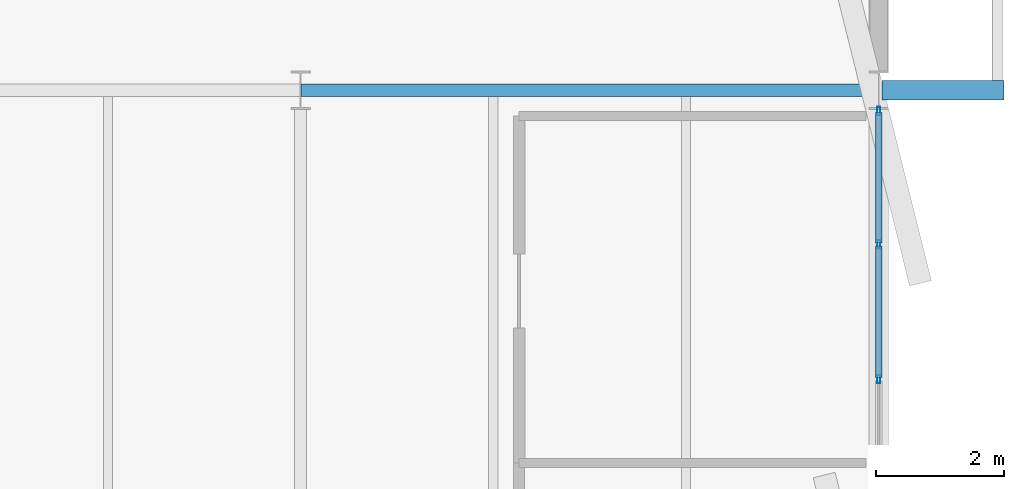
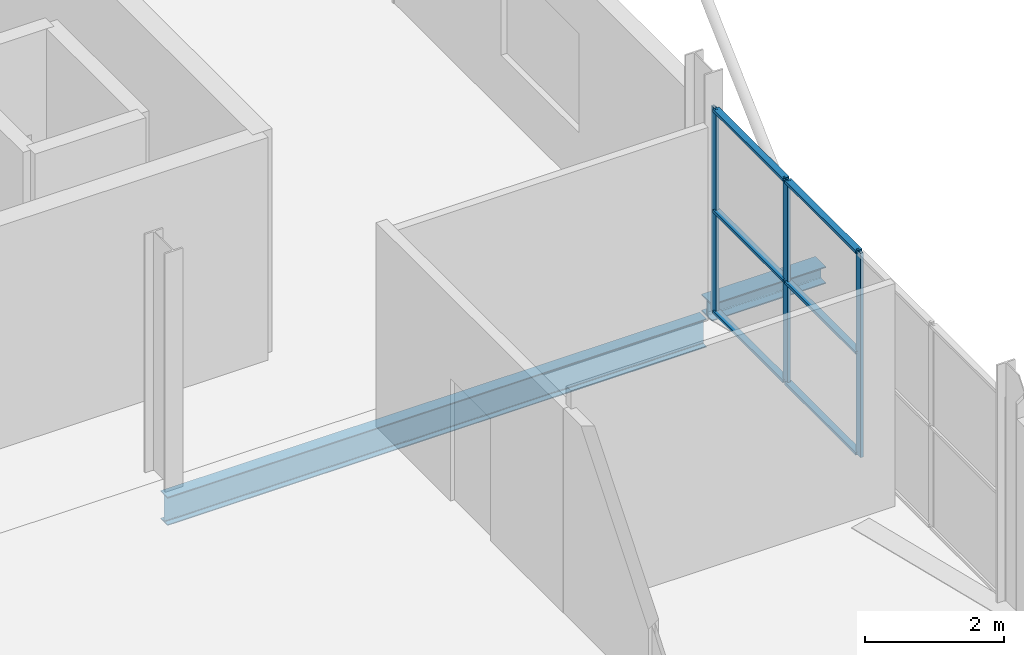
# One storey, part 59 of 103: 9 members, 2 beams, 1 element without a shape of its own.
"""IFC4 building model written with IfcOpenShell, lengths in metres."""

from ifc_helpers import new_model, si_unit, direction, frame, origin, origin_2d, place, context, subcontext, project, spatial, hollow_rectangle, i_section, extrude, material, layer, layer_set, material_profile, profile_set, type_object, element, aggregate, save


model = new_model("IFC4")

# Units and contexts
model_context = context("Model", 3, precision=1e-05, world=origin(), true_north=direction((0.0, 1.0)))
body_context = subcontext(model_context, "Body", "Model", "MODEL_VIEW")
ifc_project = project(units=[si_unit("LENGTHUNIT", "METRE"), si_unit("AREAUNIT", "SQUARE_METRE"), si_unit("VOLUMEUNIT", "CUBIC_METRE"), si_unit("PLANEANGLEUNIT", "RADIAN"), si_unit("MASSUNIT", "GRAM", prefix="KILO")], contexts=[model_context])

# Site, building, storey
site_placement = place(None, origin())
site = spatial("IfcSite", under=ifc_project, at=site_placement, CompositionType="ELEMENT")
building_placement = place(site_placement, origin())
building = spatial("IfcBuilding", under=site, at=building_placement, Name="Deido Ridge Mobility Hub", CompositionType="ELEMENT")
storey_placement = place(building_placement, frame((0.0, 0.0, 12.60009765625)))
storey = spatial("IfcBuildingStorey", under=building, at=storey_placement, Name="L03", CompositionType="ELEMENT", Elevation=12.60009765625)

# Beam
ifc_material_1 = material(Name="Steel S355J2 EN 10025-2", Category="steel")
ifc_material_profile_1 = material_profile(ifc_material_1, i_section(OverallWidth=0.199951171875, OverallDepth=0.5, WebThickness=0.01025390625, FlangeThickness=0.01611328125, FilletRadius=0.02099609375, at=origin_2d()), Name="IPE 500")
ifc_profile_set_1 = profile_set([ifc_material_profile_1], Name="Steel S355J2 EN 10025-2")
beam_type_1 = type_object("IfcBeamType", Name="BM-IPE500", PredefinedType="BEAM", material=ifc_profile_set_1)
beam_1_placement = place(storey_placement, frame((171.0078125, 36.0, -0.51513671875), z_axis=(1.0, 0.0, 0.0), x_axis=(0.0, 1.0, 0.0)))
element("IfcBeam", 1, at=beam_1_placement, inside=storey, type_object=beam_type_1, Name="Floor beam B3", PredefinedType="BEAM", context=body_context, shape_type="SweptSolid", body=[
    extrude(i_section(OverallWidth=0.199951171875, OverallDepth=0.5, WebThickness=0.01025390625, FlangeThickness=0.01611328125, FilletRadius=0.02099609375, at=origin_2d()), origin(), (0.0, 0.0, 1.0), 8.984375),
])

# Curtain wall, members
ifc_material_2 = material(Name="Anodised aluminium EN AW-6063 T6", Category="aluminium")
ifc_layer = layer(ifc_material_2, 0.1650390625, Name="Anodised aluminium EN AW-6063 T6")
ifc_layer_set = layer_set([ifc_layer], Name="Anodised aluminium EN AW-6063 T6")
curtain_wall_type = type_object("IfcCurtainWallType", Name="CW-UF-1", PredefinedType="USERDEFINED", material=ifc_layer_set)
curtain_wall_placement = place(storey_placement, origin())
curtain_wall = element("IfcCurtainWall", 2, at=curtain_wall_placement, inside=storey, type_object=curtain_wall_type, Name="Unitised curtain wall CW1", ObjectType="UNITISED FACADE", PredefinedType="USERDEFINED")
ifc_material_profile_2 = material_profile(ifc_material_2, hollow_rectangle(XDim=0.050048828125, YDim=0.1298828125, WallThickness=0.00390625, at=origin_2d()), Name="RHS 50x130x4")
ifc_profile_set_2 = profile_set([ifc_material_profile_2], Name="Anodised aluminium EN AW-6063 T6")
member_type_1 = type_object("IfcMemberType", Name="MEM-MUL-50X130", PredefinedType="MULLION", material=ifc_profile_set_2)
member_1_placement = place(storey_placement, frame((180.0, 31.5, 0.0), z_axis=(0.0, 0.0, 1.0), x_axis=(-1.0, 0.0, 0.0)))
member_1 = element("IfcMember", 3, at=member_1_placement, type_object=member_type_1, Name="CW1 mullion 3", PredefinedType="MULLION", context=body_context, shape_type="SweptSolid", body=[
    extrude(hollow_rectangle(XDim=0.050048828125, YDim=0.1298828125, WallThickness=0.00390625, at=origin_2d()), origin(), (0.0, 0.0, 1.0), 3.599853515625),
])
member_2_placement = place(storey_placement, frame((180.0, 33.60009765625, 0.0), z_axis=(0.0, 0.0, 1.0), x_axis=(-1.0, 0.0, 0.0)))
member_2 = element("IfcMember", 4, at=member_2_placement, type_object=member_type_1, Name="CW1 mullion 4", PredefinedType="MULLION", context=body_context, shape_type="SweptSolid", body=[
    extrude(hollow_rectangle(XDim=0.050048828125, YDim=0.1298828125, WallThickness=0.00390625, at=origin_2d()), origin(), (0.0, 0.0, 1.0), 3.599853515625),
])
member_3_placement = place(storey_placement, frame((180.0, 35.675048828125, 0.0), z_axis=(0.0, 0.0, 1.0), x_axis=(-1.0, 0.0, 0.0)))
member_3 = element("IfcMember", 5, at=member_3_placement, type_object=member_type_1, Name="CW1 mullion 5", PredefinedType="MULLION", context=body_context, shape_type="SweptSolid", body=[
    extrude(hollow_rectangle(XDim=0.050048828125, YDim=0.1298828125, WallThickness=0.00390625, at=origin_2d()), origin(), (0.0, 0.0, 1.0), 3.599853515625),
])
ifc_material_profile_3 = material_profile(ifc_material_2, hollow_rectangle(XDim=0.10498046875, YDim=0.050048828125, WallThickness=0.00390625, at=origin_2d()), Name="RHS 105x50x4")
ifc_profile_set_3 = profile_set([ifc_material_profile_3], Name="Anodised aluminium EN AW-6063 T6")
member_type_2 = type_object("IfcMemberType", Name="MEM-TRN-105X50", PredefinedType="USERDEFINED", material=ifc_profile_set_3)
member_4_placement = place(storey_placement, frame((180.0, 31.52490234375, 0.02490234375), z_axis=(0.0, 1.0, 0.0), x_axis=(-1.0, 0.0, 0.0)))
member_4 = element("IfcMember", 6, at=member_4_placement, type_object=member_type_2, Name="CW1 transom 3.1", ObjectType="TRANSOM", PredefinedType="USERDEFINED", context=body_context, shape_type="SweptSolid", body=[
    extrude(hollow_rectangle(XDim=0.10498046875, YDim=0.050048828125, WallThickness=0.00390625, at=origin_2d()), origin(), (0.0, 0.0, 1.0), 2.050048828125),
])
member_5_placement = place(storey_placement, frame((180.0, 31.52490234375, 1.7998046875), z_axis=(0.0, 1.0, 0.0), x_axis=(-1.0, 0.0, 0.0)))
member_5 = element("IfcMember", 7, at=member_5_placement, type_object=member_type_2, Name="CW1 transom 3.2", ObjectType="TRANSOM", PredefinedType="USERDEFINED", context=body_context, shape_type="SweptSolid", body=[
    extrude(hollow_rectangle(XDim=0.10498046875, YDim=0.050048828125, WallThickness=0.00390625, at=origin_2d()), origin(), (0.0, 0.0, 1.0), 2.050048828125),
])
member_6_placement = place(storey_placement, frame((180.0, 31.52490234375, 3.574951171875), z_axis=(0.0, 1.0, 0.0), x_axis=(-1.0, 0.0, 0.0)))
member_6 = element("IfcMember", 8, at=member_6_placement, type_object=member_type_2, Name="CW1 transom 3.3", ObjectType="TRANSOM", PredefinedType="USERDEFINED", context=body_context, shape_type="SweptSolid", body=[
    extrude(hollow_rectangle(XDim=0.10498046875, YDim=0.050048828125, WallThickness=0.00390625, at=origin_2d()), origin(), (0.0, 0.0, 1.0), 2.050048828125),
])
member_7_placement = place(storey_placement, frame((180.0, 33.625, 0.02490234375), z_axis=(0.0, 1.0, 0.0), x_axis=(-1.0, 0.0, 0.0)))
member_7 = element("IfcMember", 9, at=member_7_placement, type_object=member_type_2, Name="CW1 transom 4.1", ObjectType="TRANSOM", PredefinedType="USERDEFINED", context=body_context, shape_type="SweptSolid", body=[
    extrude(hollow_rectangle(XDim=0.10498046875, YDim=0.050048828125, WallThickness=0.00390625, at=origin_2d()), origin(), (0.0, 0.0, 1.0), 2.02490234375),
])
member_8_placement = place(storey_placement, frame((180.0, 33.625, 1.7998046875), z_axis=(0.0, 1.0, 0.0), x_axis=(-1.0, 0.0, 0.0)))
member_8 = element("IfcMember", 10, at=member_8_placement, type_object=member_type_2, Name="CW1 transom 4.2", ObjectType="TRANSOM", PredefinedType="USERDEFINED", context=body_context, shape_type="SweptSolid", body=[
    extrude(hollow_rectangle(XDim=0.10498046875, YDim=0.050048828125, WallThickness=0.00390625, at=origin_2d()), origin(), (0.0, 0.0, 1.0), 2.02490234375),
])
member_9_placement = place(storey_placement, frame((180.0, 33.625, 3.574951171875), z_axis=(0.0, 1.0, 0.0), x_axis=(-1.0, 0.0, 0.0)))
member_9 = element("IfcMember", 11, at=member_9_placement, type_object=member_type_2, Name="CW1 transom 4.3", ObjectType="TRANSOM", PredefinedType="USERDEFINED", context=body_context, shape_type="SweptSolid", body=[
    extrude(hollow_rectangle(XDim=0.10498046875, YDim=0.050048828125, WallThickness=0.00390625, at=origin_2d()), origin(), (0.0, 0.0, 1.0), 2.02490234375),
])
aggregate(curtain_wall, [member_1, member_2, member_3, member_4, member_5, member_6, member_7, member_8, member_9])

# Beam
ifc_material_profile_4 = material_profile(ifc_material_1, i_section(OverallWidth=0.300048828125, OverallDepth=0.300048828125, WebThickness=0.010986328125, FlangeThickness=0.01904296875, FilletRadius=0.027099609375, at=origin_2d()), Name="HEB 300")
ifc_profile_set_4 = profile_set([ifc_material_profile_4], Name="Steel S355J2 EN 10025-2")
beam_type_2 = type_object("IfcBeamType", Name="SPD-HEB300", PredefinedType="SPANDREL", material=ifc_profile_set_4)
beam_2_placement = place(storey_placement, frame((180.050048828125, 36.0, -0.150146484375), z_axis=(1.0, 0.0, 0.0), x_axis=(0.0, 1.0, 0.0)))
element("IfcBeam", 12, at=beam_2_placement, inside=storey, type_object=beam_type_2, Name="Exoskeleton outrigger beam SP1", PredefinedType="SPANDREL", context=body_context, shape_type="SweptSolid", body=[
    extrude(i_section(OverallWidth=0.300048828125, OverallDepth=0.300048828125, WebThickness=0.010986328125, FlangeThickness=0.01904296875, FilletRadius=0.027099609375, at=origin_2d()), origin(), (0.0, 0.0, 1.0), 1.89990234375),
])

save(model, "model.ifc")
